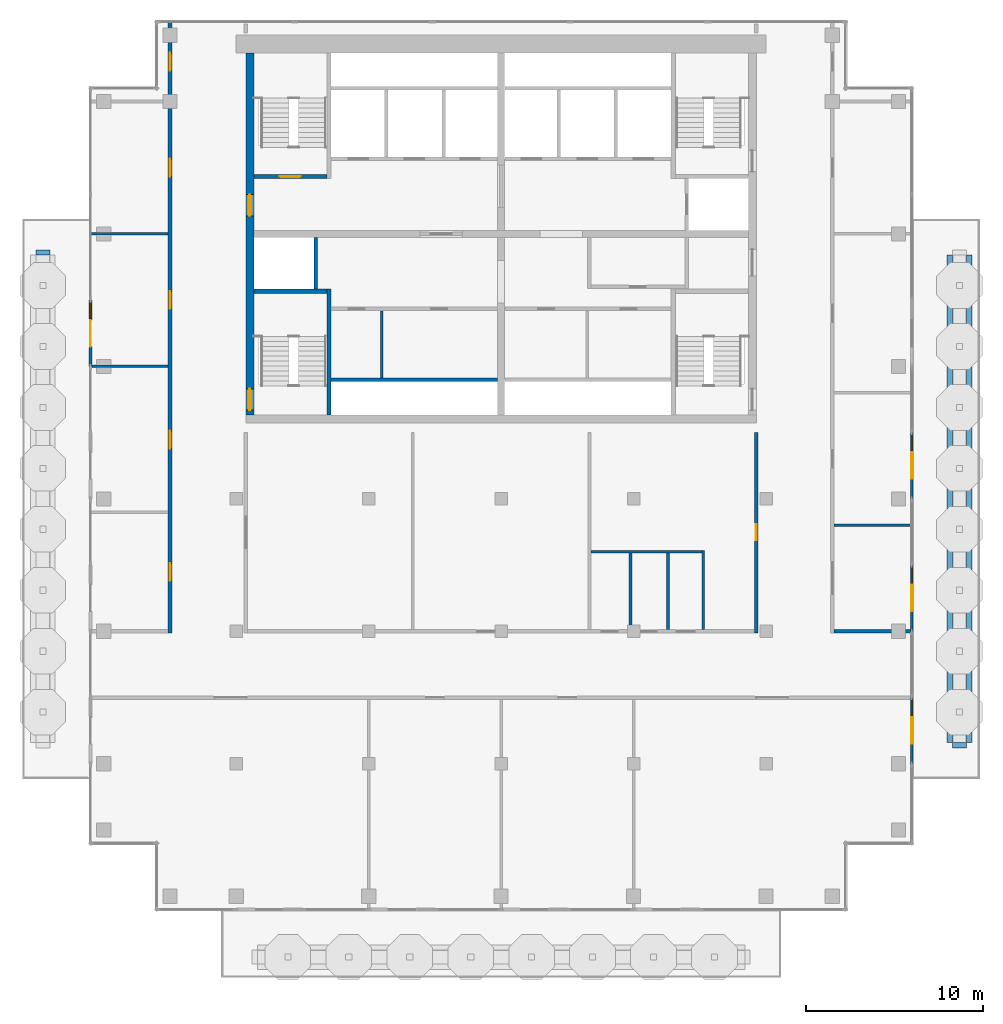
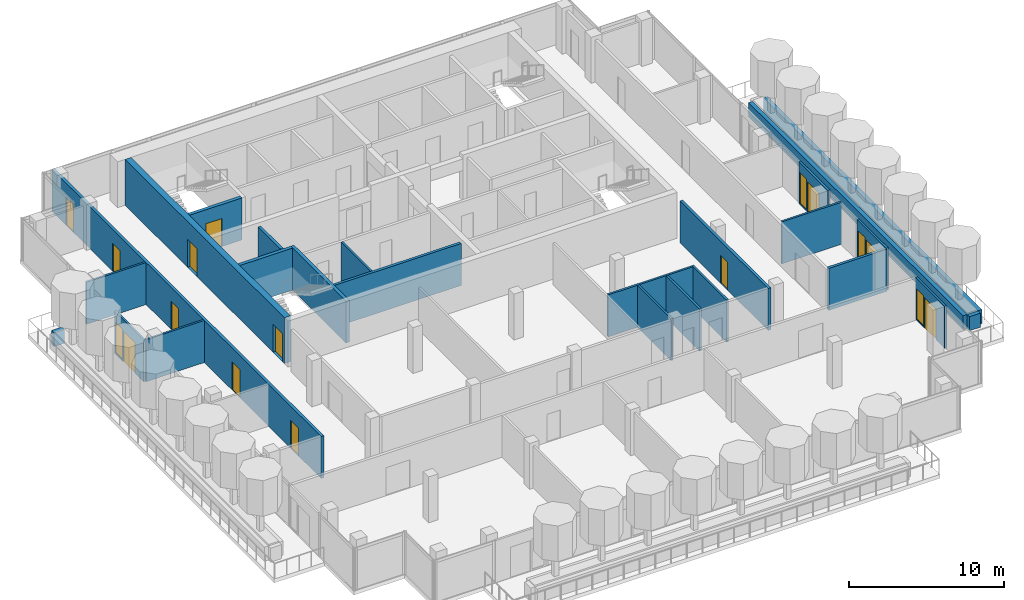
# One storey, part 7 of 12: 25 walls, 13 doors, 4 windows, 17 openings.
"""IFC4 building model written with IfcOpenShell, lengths in metres."""

import ifcopenshell
import ifcopenshell.guid

model = None  # the IFC model being written
_history = None  # IfcOwnerHistory: only IFC2X3 demands one
_inside = {}  # id of a spatial element -> (the spatial element, [elements in it])
_under = {}  # id of a project, library or spatial element -> (it, [spatial elements below it])
_declared = {}  # id of a project -> (the project, [libraries it declares])
_typed = {}  # id of a type object -> (the type object, [elements of that type])
_made_of = {}  # id of a material, layer set ... -> (it, [elements and type objects made of it])


def new_model(schema):
    """Start an empty IFC model of exactly this schema.

    Asked for "IFC4X3", IfcOpenShell would pick the latest addendum, in which some entities
    have other attributes; the version numbers below select the first issue.
    IFC2X3 requires an IfcOwnerHistory on every rooted entity: one is made here for all.
    """
    global model, _history
    if schema == "IFC4X3":
        model = ifcopenshell.file(schema_version=(4, 3, 0, 0))
    else:
        model = ifcopenshell.file(schema=schema)
    _inside.clear()
    _under.clear()
    _declared.clear()
    _typed.clear()
    _made_of.clear()
    _history = None
    if model.schema == "IFC2X3":
        org = make("IfcOrganization", Name="unknown")
        user = make(
            "IfcPersonAndOrganization",
            ThePerson=make("IfcPerson", FamilyName="unknown"),
            TheOrganization=org,
        )
        app = make(
            "IfcApplication",
            ApplicationDeveloper=org,
            Version="unknown",
            ApplicationFullName="unknown",
            ApplicationIdentifier="unknown",
        )
        _history = make(
            "IfcOwnerHistory",
            OwningUser=user,
            OwningApplication=app,
            ChangeAction="ADDED",
            CreationDate=0,
        )
    return model


def make(cls, **values):
    """One entity of the class cls with the attributes given. An attribute that is None is left unset."""
    return model.create_entity(
        cls, **{name: value for name, value in values.items() if value is not None}
    )


def rooted(cls, **values):
    """An entity with a GlobalId (a new one), such as an element, a storey or a relation."""
    return make(cls, GlobalId=ifcopenshell.guid.new(), OwnerHistory=_history, **values)


def si_unit(unit_type, name, prefix=None):
    """IfcSIUnit, for example si_unit("LENGTHUNIT", "METRE", prefix="MILLI")."""
    return make("IfcSIUnit", UnitType=unit_type, Prefix=prefix, Name=name)


def assignment(units):
    """IfcUnitAssignment: the units of a project."""
    return None if units is None else make("IfcUnitAssignment", Units=units)


def point(xyz):
    """IfcCartesianPoint."""
    return None if xyz is None else make("IfcCartesianPoint", Coordinates=xyz)


def direction(xyz):
    """IfcDirection."""
    return None if xyz is None else make("IfcDirection", DirectionRatios=xyz)


def frame(location, z_axis=None, x_axis=None):
    """IfcAxis2Placement3D, a coordinate frame: its origin and axes. An axis left out is left unset."""
    return make(
        "IfcAxis2Placement3D",
        Location=point(location),
        Axis=direction(z_axis),
        RefDirection=direction(x_axis),
    )


def frame_2d(location, x_axis=None):
    """IfcAxis2Placement2D, a coordinate frame in the plane: its origin and x axis."""
    return make(
        "IfcAxis2Placement2D", Location=point(location), RefDirection=direction(x_axis)
    )


def origin():
    """The frame at (0, 0, 0) with its axes left unset."""
    return frame((0.0, 0.0, 0.0))


def place(relative_to, where):
    """IfcLocalPlacement: puts the frame where relative to a parent placement (None: the world)."""
    return make(
        "IfcLocalPlacement", PlacementRelTo=relative_to, RelativePlacement=where
    )


def context(
    kind, dimensions, precision=None, world=None, true_north=None, identifier=None
):
    """IfcGeometricRepresentationContext, for example the 3D "Model" context."""
    return make(
        "IfcGeometricRepresentationContext",
        ContextIdentifier=identifier,
        ContextType=kind,
        CoordinateSpaceDimension=dimensions,
        Precision=precision,
        WorldCoordinateSystem=world,
        TrueNorth=true_north,
    )


def subcontext(parent, identifier, kind, view, scale=None):
    """IfcGeometricRepresentationSubContext, for example "Body" below "Model"."""
    return make(
        "IfcGeometricRepresentationSubContext",
        ContextIdentifier=identifier,
        ContextType=kind,
        ParentContext=parent,
        TargetScale=scale,
        TargetView=view,
    )


def project(units=None, contexts=None):
    """IfcProject with its units and contexts."""
    return rooted(
        "IfcProject",
        Name="project",
        RepresentationContexts=contexts,
        UnitsInContext=assignment(units),
    )


def spatial(cls, under=None, at=None, **own):
    """A site, building, storey or space (cls), placed at a placement, below another one or the project."""
    s = rooted(cls, ObjectPlacement=at, **own)
    if under is not None:
        _under.setdefault(under.id(), (under, []))[1].append(s)
    return s


def profile(cls, at=None, kind="AREA", **sizes):
    """A parametric profile (cls). Its sizes go by their IFC names, for example OverallWidth=200.0."""
    return make(cls, ProfileType=kind, Position=at, **sizes)


def rectangle(**sizes):
    """IfcRectangleProfileDef."""
    return profile("IfcRectangleProfileDef", **sizes)


def extrude(swept, where, along, depth):
    """IfcExtrudedAreaSolid: the profile swept, set in the frame where, extruded along a direction by depth."""
    return make(
        "IfcExtrudedAreaSolid",
        SweptArea=swept,
        Position=where,
        ExtrudedDirection=direction(along),
        Depth=depth,
    )


def shape(context_of_items, identifier, shape_type, items):
    """IfcShapeRepresentation: the items that make up one representation, for example the "Body"."""
    return make(
        "IfcShapeRepresentation",
        ContextOfItems=context_of_items,
        RepresentationIdentifier=identifier,
        RepresentationType=shape_type,
        Items=items,
    )


def material(Name=None, Category=None):
    """IfcMaterial."""
    return make("IfcMaterial", Name=Name, Category=Category)


def layer(
    of_material, thickness, ventilated=None, Name=None, Category=None, Priority=None
):
    """IfcMaterialLayer: one layer of a wall or slab, of a material (None: an air gap)."""
    return make(
        "IfcMaterialLayer",
        Material=of_material,
        LayerThickness=thickness,
        IsVentilated=ventilated,
        Name=Name,
        Category=Category,
        Priority=Priority,
    )


def layer_set(layers, Name=None):
    """IfcMaterialLayerSet."""
    return make("IfcMaterialLayerSet", MaterialLayers=layers, LayerSetName=Name)


def made_of(thing, what):
    """Note that an element or type object is made of a material, layer set ...; save() writes the relation."""
    if what is not None:
        _made_of.setdefault(what.id(), (what, []))[1].append(thing)
    return thing


def type_object(cls, material=None, **own):
    """A type object (cls), such as IfcWallType, which elements share."""
    return made_of(rooted(cls, **own), material)


def element(
    cls,
    number,
    at=None,
    inside=None,
    cuts=None,
    type_object=None,
    material=None,
    context=None,
    identifier="Body",
    shape_type=None,
    held_by="IfcProductDefinitionShape",
    body=None,
    shapes=None,
    **own,
):
    """One element of the class cls, such as IfcWall. Its Tag is "e" and its number.

    at: its placement. inside: the storey or other place that contains it. cuts: it is an
    opening in that element (IfcRelVoidsElement). A single representation is given by context,
    identifier, shape_type and body (its items); several are given by shapes. held_by: the class
    of the entity that holds the representations. save() writes the other relations.
    """
    e = rooted(cls, Tag="e%d" % number, ObjectPlacement=at, **own)
    if body is not None:
        shapes = [shape(context, identifier, shape_type, body)]
    if shapes is not None:
        e.Representation = make(held_by, Representations=shapes)
    if inside is not None:
        _inside.setdefault(inside.id(), (inside, []))[1].append(e)
    if cuts is not None:
        rooted(
            "IfcRelVoidsElement", RelatingBuildingElement=cuts, RelatedOpeningElement=e
        )
    if type_object is not None:
        _typed.setdefault(type_object.id(), (type_object, []))[1].append(e)
    return made_of(e, material)


def fill(opening, filler):
    """IfcRelFillsElement: the door or window that sits in an opening."""
    return rooted(
        "IfcRelFillsElement",
        RelatingOpeningElement=opening,
        RelatedBuildingElement=filler,
    )


def aggregate(whole, parts):
    """IfcRelAggregates: a whole, such as a stair, and the parts it consists of."""
    return rooted("IfcRelAggregates", RelatingObject=whole, RelatedObjects=parts)


def save(model, path):
    """Write the relations noted so far, then the file.

    IfcRelAggregates (storeys below a building ...), IfcRelContainedInSpatialStructure (elements
    in a storey), IfcRelDefinesByType, IfcRelAssociatesMaterial and IfcRelDeclares: one each for
    every whole, place, type object, material and project.
    """
    for whole, parts in _under.values():
        aggregate(whole, parts)
    for where, things in _inside.values():
        rooted(
            "IfcRelContainedInSpatialStructure",
            RelatedElements=things,
            RelatingStructure=where,
        )
    for kind, things in _typed.values():
        rooted("IfcRelDefinesByType", RelatedObjects=things, RelatingType=kind)
    for what, things in _made_of.values():
        rooted("IfcRelAssociatesMaterial", RelatedObjects=things, RelatingMaterial=what)
    for by, libraries in _declared.values():
        rooted("IfcRelDeclares", RelatingContext=by, RelatedDefinitions=libraries)
    model.write(path)


model = new_model("IFC4")

# Units and contexts
model_context = context("Model", 3, precision=1e-05, world=origin(), true_north=direction((0.0, 1.0)))
body_context = subcontext(model_context, "Body", "Model", "MODEL_VIEW")
ifc_project = project(units=[si_unit("LENGTHUNIT", "METRE"), si_unit("AREAUNIT", "SQUARE_METRE"), si_unit("VOLUMEUNIT", "CUBIC_METRE"), si_unit("PLANEANGLEUNIT", "RADIAN"), si_unit("MASSUNIT", "GRAM", prefix="KILO")], contexts=[model_context])

# Site, building, storey
site_placement = place(None, origin())
site = spatial("IfcSite", under=ifc_project, at=site_placement, CompositionType="ELEMENT")
building_placement = place(site_placement, origin())
building = spatial("IfcBuilding", under=site, at=building_placement, Name="Pilkhan Gate Tower", CompositionType="ELEMENT")
storey_placement = place(building_placement, frame((0.0, 0.0, 258.5)))
storey = spatial("IfcBuildingStorey", under=building, at=storey_placement, Name="L67", CompositionType="ELEMENT", Elevation=258.5)

# Wall, openings, doors
ifc_material_1 = material(Name="Concrete C50/60", Category="concrete")
ifc_layer_1 = layer(ifc_material_1, 0.449951171875)
ifc_layer_set_1 = layer_set([ifc_layer_1], Name="Core wall CW450 C50/60")
wall_type_1 = type_object("IfcWallType", Name="Core wall CW450 C50/60", PredefinedType="SHEAR", material=ifc_layer_set_1)
wall_1_placement = place(storey_placement, frame((60.77490234375, 92.75, 0.0), z_axis=(0.0, 0.0, 1.0), x_axis=(0.0, -1.0, 0.0)))
wall_1 = element("IfcWall", 1, at=wall_1_placement, inside=storey, type_object=wall_type_1, Name="Core wall W L67", PredefinedType="SHEAR", context=body_context, shape_type="SweptSolid", body=[
    extrude(rectangle(XDim=20.5, YDim=0.449951171875, at=frame_2d((10.25, 0.0))), origin(), (0.0, 0.0, 1.0), 3.60009765625),
])
opening_1_placement = place(wall_1_placement, frame((19.02490234375, 0.0, 0.0)))
opening_1 = element("IfcOpeningElement", 2, at=opening_1_placement, cuts=wall_1, Name="Opening L67-04", PredefinedType="OPENING", context=body_context, shape_type="SweptSolid", body=[
    extrude(rectangle(XDim=1.199951171875, YDim=2.199951171875, at=frame_2d((0.60009765625, 1.10009765625))), frame((0.0, 0.23486328125, 0.0), z_axis=(0.0, -1.0, 0.0), x_axis=(1.0, 0.0, 0.0)), (0.0, 0.0, 1.0), 0.469970703125),
])
opening_2_placement = place(wall_1_placement, frame((8.02490234375, 0.0, 0.0)))
opening_2 = element("IfcOpeningElement", 3, at=opening_2_placement, cuts=wall_1, Name="Opening L67-10", PredefinedType="OPENING", context=body_context, shape_type="SweptSolid", body=[
    extrude(rectangle(XDim=1.199951171875, YDim=2.199951171875, at=frame_2d((0.60009765625, 1.10009765625))), frame((0.0, 0.23486328125, 0.0), z_axis=(0.0, -1.0, 0.0), x_axis=(1.0, 0.0, 0.0)), (0.0, 0.0, 1.0), 0.469970703125),
])
ifc_material_2 = material(Name="Steel door, 120 minute fire resisting, self-closing", Category="steel")
door_type_1 = type_object("IfcDoorType", Name="Firefighting lobby door D10 1200x2200", OperationType="SINGLE_SWING_LEFT", PredefinedType="DOOR", material=ifc_material_2)
door_1_placement = place(opening_2_placement, origin())
door_1 = element("IfcDoor", 4, at=door_1_placement, inside=storey, type_object=door_type_1, Name="Core door", OperationType="SINGLE_SWING_RIGHT", OverallHeight=2.199951171875, OverallWidth=1.199951171875, PredefinedType="DOOR", context=body_context, shape_type="SweptSolid", body=[
    extrude(rectangle(XDim=1.199951171875, YDim=2.199951171875, at=frame_2d((0.60009765625, 1.10009765625))), frame((0.0, 0.02490234375, 0.0), z_axis=(0.0, -1.0, 0.0), x_axis=(1.0, 0.0, 0.0)), (0.0, 0.0, 1.0), 0.050048828125),
])
fill(opening_2, door_1)
ifc_material_3 = material(Name="Steel door, 120 minute fire resisting, panic bar", Category="steel")
door_type_2 = type_object("IfcDoorType", Name="Stair door D11 1200x2200", OperationType="SINGLE_SWING_LEFT", PredefinedType="DOOR", material=ifc_material_3)
door_2_placement = place(opening_1_placement, origin())
door_2 = element("IfcDoor", 5, at=door_2_placement, inside=storey, type_object=door_type_2, Name="Stair ST2 door", OperationType="SINGLE_SWING_LEFT", OverallHeight=2.199951171875, OverallWidth=1.199951171875, PredefinedType="DOOR", context=body_context, shape_type="SweptSolid", body=[
    extrude(rectangle(XDim=1.199951171875, YDim=2.199951171875, at=frame_2d((0.60009765625, 1.10009765625))), frame((0.0, 0.02490234375, 0.0), z_axis=(0.0, -1.0, 0.0), x_axis=(1.0, 0.0, 0.0)), (0.0, 0.0, 1.0), 0.050048828125),
])
fill(opening_1, door_2)

# Wall
ifc_material_4 = material(Name="Dense blockwork", Category="masonry")
ifc_layer_2 = layer(ifc_material_4, 0.199951171875)
ifc_layer_set_2 = layer_set([ifc_layer_2], Name="Corridor wall FW200")
wall_type_2 = type_object("IfcWallType", Name="Corridor wall FW200", PredefinedType="PARTITIONING", material=ifc_layer_set_2)
wall_2_placement = place(storey_placement, frame((93.85009765625, 60.0, 0.0), z_axis=(0.0, 0.0, 1.0), x_axis=(1.0, 0.0, 0.0)))
element("IfcWall", 6, at=wall_2_placement, inside=storey, type_object=wall_type_2, Name="Partition L67", PredefinedType="PARTITIONING", context=body_context, shape_type="SweptSolid", body=[
    extrude(rectangle(XDim=4.31494140625, YDim=0.199951171875, at=frame_2d((2.157470703125, 0.0))), origin(), (0.0, 0.0, 1.0), 3.300048828125),
])

# Wall, openings, doors
wall_3_placement = place(storey_placement, frame((56.25, 59.89990234375, 0.0), z_axis=(0.0, 0.0, 1.0), x_axis=(0.0, 1.0, 0.0)))
wall_3 = element("IfcWall", 7, at=wall_3_placement, inside=storey, type_object=wall_type_2, Name="Partition L67", PredefinedType="PARTITIONING", context=body_context, shape_type="SweptSolid", body=[
    extrude(rectangle(XDim=34.614990234375, YDim=0.199951171875, at=frame_2d((17.3076171875, 0.0))), origin(), (0.0, 0.0, 1.0), 3.300048828125),
])
opening_3_placement = place(wall_3_placement, frame((2.949951171875, 0.0, 0.0)))
opening_3 = element("IfcOpeningElement", 8, at=opening_3_placement, cuts=wall_3, Name="Opening L67-21", PredefinedType="OPENING", context=body_context, shape_type="SweptSolid", body=[
    extrude(rectangle(XDim=1.0, YDim=2.199951171875, at=frame_2d((0.5, 1.10009765625))), frame((0.0, 0.10986328125, 0.0), z_axis=(0.0, -1.0, 0.0), x_axis=(1.0, 0.0, 0.0)), (0.0, 0.0, 1.0), 0.219970703125),
])
opening_4_placement = place(wall_3_placement, frame((10.449951171875, 0.0, 0.0)))
opening_4 = element("IfcOpeningElement", 9, at=opening_4_placement, cuts=wall_3, Name="Opening L67-22", PredefinedType="OPENING", context=body_context, shape_type="SweptSolid", body=[
    extrude(rectangle(XDim=1.0, YDim=2.199951171875, at=frame_2d((0.5, 1.10009765625))), frame((0.0, 0.10986328125, 0.0), z_axis=(0.0, -1.0, 0.0), x_axis=(1.0, 0.0, 0.0)), (0.0, 0.0, 1.0), 0.219970703125),
])
opening_5_placement = place(wall_3_placement, frame((18.35009765625, 0.0, 0.0)))
opening_5 = element("IfcOpeningElement", 10, at=opening_5_placement, cuts=wall_3, Name="Opening L67-23", PredefinedType="OPENING", context=body_context, shape_type="SweptSolid", body=[
    extrude(rectangle(XDim=1.0, YDim=2.199951171875, at=frame_2d((0.5, 1.10009765625))), frame((0.0, 0.10986328125, 0.0), z_axis=(0.0, -1.0, 0.0), x_axis=(1.0, 0.0, 0.0)), (0.0, 0.0, 1.0), 0.219970703125),
])
opening_6_placement = place(wall_3_placement, frame((25.85009765625, 0.0, 0.0)))
opening_6 = element("IfcOpeningElement", 11, at=opening_6_placement, cuts=wall_3, Name="Opening L67-24", PredefinedType="OPENING", context=body_context, shape_type="SweptSolid", body=[
    extrude(rectangle(XDim=1.0, YDim=2.199951171875, at=frame_2d((0.5, 1.10009765625))), frame((0.0, 0.10986328125, 0.0), z_axis=(0.0, -1.0, 0.0), x_axis=(1.0, 0.0, 0.0)), (0.0, 0.0, 1.0), 0.219970703125),
])
opening_7_placement = place(wall_3_placement, frame((31.85009765625, 0.0, 0.0)))
opening_7 = element("IfcOpeningElement", 12, at=opening_7_placement, cuts=wall_3, Name="Opening L67-25", PredefinedType="OPENING", context=body_context, shape_type="SweptSolid", body=[
    extrude(rectangle(XDim=1.0, YDim=2.199951171875, at=frame_2d((0.5, 1.10009765625))), frame((0.0, 0.10986328125, 0.0), z_axis=(0.0, -1.0, 0.0), x_axis=(1.0, 0.0, 0.0)), (0.0, 0.0, 1.0), 0.219970703125),
])
ifc_material_5 = material(Name="Timber flush door, 30 minute fire resisting", Category="wood")
door_type_3 = type_object("IfcDoorType", Name="Room door D03 1000x2200", OperationType="SINGLE_SWING_LEFT", PredefinedType="DOOR", material=ifc_material_5)
door_3_placement = place(opening_3_placement, origin())
door_3 = element("IfcDoor", 13, at=door_3_placement, inside=storey, type_object=door_type_3, Name="Room door", OperationType="SINGLE_SWING_LEFT", OverallHeight=2.199951171875, OverallWidth=1.0, PredefinedType="DOOR", context=body_context, shape_type="SweptSolid", body=[
    extrude(rectangle(XDim=1.0, YDim=2.199951171875, at=frame_2d((0.5, 1.10009765625))), frame((0.0, 0.02490234375, 0.0), z_axis=(0.0, -1.0, 0.0), x_axis=(1.0, 0.0, 0.0)), (0.0, 0.0, 1.0), 0.050048828125),
])
fill(opening_3, door_3)
door_4_placement = place(opening_4_placement, origin())
door_4 = element("IfcDoor", 14, at=door_4_placement, inside=storey, type_object=door_type_3, Name="Room door", OperationType="SINGLE_SWING_LEFT", OverallHeight=2.199951171875, OverallWidth=1.0, PredefinedType="DOOR", context=body_context, shape_type="SweptSolid", body=[
    extrude(rectangle(XDim=1.0, YDim=2.199951171875, at=frame_2d((0.5, 1.10009765625))), frame((0.0, 0.02490234375, 0.0), z_axis=(0.0, -1.0, 0.0), x_axis=(1.0, 0.0, 0.0)), (0.0, 0.0, 1.0), 0.050048828125),
])
fill(opening_4, door_4)
door_5_placement = place(opening_5_placement, origin())
door_5 = element("IfcDoor", 15, at=door_5_placement, inside=storey, type_object=door_type_3, Name="Room door", OperationType="SINGLE_SWING_LEFT", OverallHeight=2.199951171875, OverallWidth=1.0, PredefinedType="DOOR", context=body_context, shape_type="SweptSolid", body=[
    extrude(rectangle(XDim=1.0, YDim=2.199951171875, at=frame_2d((0.5, 1.10009765625))), frame((0.0, 0.02490234375, 0.0), z_axis=(0.0, -1.0, 0.0), x_axis=(1.0, 0.0, 0.0)), (0.0, 0.0, 1.0), 0.050048828125),
])
fill(opening_5, door_5)
door_6_placement = place(opening_6_placement, origin())
door_6 = element("IfcDoor", 16, at=door_6_placement, inside=storey, type_object=door_type_3, Name="Room door", OperationType="SINGLE_SWING_RIGHT", OverallHeight=2.199951171875, OverallWidth=1.0, PredefinedType="DOOR", context=body_context, shape_type="SweptSolid", body=[
    extrude(rectangle(XDim=1.0, YDim=2.199951171875, at=frame_2d((0.5, 1.10009765625))), frame((0.0, 0.02490234375, 0.0), z_axis=(0.0, -1.0, 0.0), x_axis=(1.0, 0.0, 0.0)), (0.0, 0.0, 1.0), 0.050048828125),
])
fill(opening_6, door_6)
door_7_placement = place(opening_7_placement, origin())
door_7 = element("IfcDoor", 17, at=door_7_placement, inside=storey, type_object=door_type_3, Name="Room door", OperationType="SINGLE_SWING_LEFT", OverallHeight=2.199951171875, OverallWidth=1.0, PredefinedType="DOOR", context=body_context, shape_type="SweptSolid", body=[
    extrude(rectangle(XDim=1.0, YDim=2.199951171875, at=frame_2d((0.5, 1.10009765625))), frame((0.0, 0.02490234375, 0.0), z_axis=(0.0, -1.0, 0.0), x_axis=(1.0, 0.0, 0.0)), (0.0, 0.0, 1.0), 0.050048828125),
])
fill(opening_7, door_7)

# Wall, opening, door
wall_4_placement = place(storey_placement, frame((89.449951171875, 59.89990234375, 0.0), z_axis=(0.0, 0.0, 1.0), x_axis=(0.0, 1.0, 0.0)))
wall_4 = element("IfcWall", 18, at=wall_4_placement, inside=storey, type_object=wall_type_2, Name="Partition L67", PredefinedType="PARTITIONING", context=body_context, shape_type="SweptSolid", body=[
    extrude(rectangle(XDim=11.35009765625, YDim=0.199951171875, at=frame_2d((5.675048828125, 0.0))), origin(), (0.0, 0.0, 1.0), 3.300048828125),
])
opening_8_placement = place(wall_4_placement, frame((5.25, 0.0, 0.0)))
opening_8 = element("IfcOpeningElement", 19, at=opening_8_placement, cuts=wall_4, Name="Opening L67-20", PredefinedType="OPENING", context=body_context, shape_type="SweptSolid", body=[
    extrude(rectangle(XDim=0.89990234375, YDim=2.199951171875, at=frame_2d((0.449951171875, 1.10009765625))), frame((0.0, 0.10986328125, 0.0), z_axis=(0.0, -1.0, 0.0), x_axis=(1.0, 0.0, 0.0)), (0.0, 0.0, 1.0), 0.219970703125),
])
ifc_material_6 = material(Name="Timber flush door, 60 minute fire resisting, self-closing", Category="wood")
door_type_4 = type_object("IfcDoorType", Name="Store door D05 900x2200", OperationType="SINGLE_SWING_LEFT", PredefinedType="DOOR", material=ifc_material_6)
door_8_placement = place(opening_8_placement, origin())
door_8 = element("IfcDoor", 20, at=door_8_placement, inside=storey, type_object=door_type_4, Name="Store door", OperationType="SINGLE_SWING_LEFT", OverallHeight=2.199951171875, OverallWidth=0.89990234375, PredefinedType="DOOR", context=body_context, shape_type="SweptSolid", body=[
    extrude(rectangle(XDim=0.89990234375, YDim=2.199951171875, at=frame_2d((0.449951171875, 1.10009765625))), frame((0.0, 0.02490234375, 0.0), z_axis=(0.0, -1.0, 0.0), x_axis=(1.0, 0.0, 0.0)), (0.0, 0.0, 1.0), 0.050048828125),
])
fill(opening_8, door_8)

# Wall, openings, door, window
ifc_material_7 = material(Name="Pale anodised aluminium, clear laminated glazing", Category="aluminium")
ifc_layer_3 = layer(ifc_material_7, 0.14990234375)
ifc_layer_set_3 = layer_set([ifc_layer_3], Name="Facade infill wall IW150")
wall_type_3 = type_object("IfcWallType", Name="Facade infill wall IW150", PredefinedType="SOLIDWALL", material=ifc_layer_set_3)
wall_5_placement = place(storey_placement, frame((98.25, 56.25, 0.0), z_axis=(0.0, 0.0, 1.0), x_axis=(0.0, -1.0, 0.0)))
wall_5 = element("IfcWall", 21, at=wall_5_placement, inside=storey, type_object=wall_type_3, Name="Infill wall L67 E", PredefinedType="SOLIDWALL", context=body_context, shape_type="SweptSolid", body=[
    extrude(rectangle(XDim=3.75, YDim=0.14990234375, at=frame_2d((1.875, 0.0))), origin(), (0.0, 0.0, 1.0), 3.300048828125),
])
opening_9_placement = place(wall_5_placement, frame((0.112548828125, 0.0, 0.10009765625)))
opening_9 = element("IfcOpeningElement", 22, at=opening_9_placement, cuts=wall_5, Name="Opening W1", PredefinedType="OPENING", context=body_context, shape_type="SweptSolid", body=[
    extrude(rectangle(XDim=0.89990234375, YDim=2.39990234375, at=frame_2d((0.449951171875, 1.199951171875))), frame((0.0, 0.0849609375, 0.0), z_axis=(0.0, -1.0, 0.0), x_axis=(1.0, 0.0, 0.0)), (0.0, 0.0, 1.0), 0.169921875),
])
opening_10_placement = place(wall_5_placement, frame((1.125, 0.0, 0.0)))
opening_10 = element("IfcOpeningElement", 23, at=opening_10_placement, cuts=wall_5, Name="Opening D5", PredefinedType="OPENING", context=body_context, shape_type="SweptSolid", body=[
    extrude(rectangle(XDim=1.5, YDim=2.39990234375, at=frame_2d((0.75, 1.199951171875))), frame((0.0, 0.0849609375, 0.0), z_axis=(0.0, -1.0, 0.0), x_axis=(1.0, 0.0, 0.0)), (0.0, 0.0, 1.0), 0.169921875),
])
ifc_material_8 = material(Name="Pale anodised aluminium, clear glazing", Category="aluminium")
door_type_5 = type_object("IfcDoorType", Name="Terrace door D5 1500x2400", OperationType="DOUBLE_DOOR_SINGLE_SWING", PredefinedType="DOOR", material=ifc_material_8)
door_9_placement = place(opening_10_placement, origin())
door_9 = element("IfcDoor", 24, at=door_9_placement, inside=storey, type_object=door_type_5, Name="Terrace door L67", OperationType="DOUBLE_DOOR_SINGLE_SWING", OverallHeight=2.39990234375, OverallWidth=1.5, PredefinedType="DOOR", context=body_context, shape_type="SweptSolid", body=[
    extrude(rectangle(XDim=1.5, YDim=2.39990234375, at=frame_2d((0.75, 1.199951171875))), frame((0.0, 0.02490234375, 0.0), z_axis=(0.0, -1.0, 0.0), x_axis=(1.0, 0.0, 0.0)), (0.0, 0.0, 1.0), 0.050048828125),
])
fill(opening_10, door_9)
ifc_material_9 = material(Name="Pale anodised aluminium, clear double glazing", Category="aluminium")
window_type = type_object("IfcWindowType", Name="Window W1 900x2400", PartitioningType="SINGLE_PANEL", PredefinedType="WINDOW", material=ifc_material_9)
window_1_placement = place(opening_9_placement, origin())
window_1 = element("IfcWindow", 25, at=window_1_placement, inside=storey, type_object=window_type, Name="Window L67", OverallHeight=2.39990234375, OverallWidth=0.89990234375, PartitioningType="SINGLE_PANEL", PredefinedType="WINDOW", context=body_context, shape_type="SweptSolid", body=[
    extrude(rectangle(XDim=0.89990234375, YDim=2.39990234375, at=frame_2d((0.449951171875, 1.199951171875))), frame((0.0, 0.030029296875, 0.0), z_axis=(0.0, -1.0, 0.0), x_axis=(1.0, 0.0, 0.0)), (0.0, 0.0, 1.0), 0.06005859375),
])
fill(opening_9, window_1)

wall_6_placement = place(storey_placement, frame((98.25, 63.75, 0.0), z_axis=(0.0, 0.0, 1.0), x_axis=(0.0, -1.0, 0.0)))
wall_6 = element("IfcWall", 26, at=wall_6_placement, inside=storey, type_object=wall_type_3, Name="Infill wall L67 E", PredefinedType="SOLIDWALL", context=body_context, shape_type="SweptSolid", body=[
    extrude(rectangle(XDim=3.75, YDim=0.14990234375, at=frame_2d((1.875, 0.0))), origin(), (0.0, 0.0, 1.0), 3.300048828125),
])
opening_11_placement = place(wall_6_placement, frame((0.112548828125, 0.0, 0.10009765625)))
opening_11 = element("IfcOpeningElement", 27, at=opening_11_placement, cuts=wall_6, Name="Opening W1", PredefinedType="OPENING", context=body_context, shape_type="SweptSolid", body=[
    extrude(rectangle(XDim=0.89990234375, YDim=2.39990234375, at=frame_2d((0.449951171875, 1.199951171875))), frame((0.0, 0.0849609375, 0.0), z_axis=(0.0, -1.0, 0.0), x_axis=(1.0, 0.0, 0.0)), (0.0, 0.0, 1.0), 0.169921875),
])
opening_12_placement = place(wall_6_placement, frame((1.125, 0.0, 0.0)))
opening_12 = element("IfcOpeningElement", 28, at=opening_12_placement, cuts=wall_6, Name="Opening D5", PredefinedType="OPENING", context=body_context, shape_type="SweptSolid", body=[
    extrude(rectangle(XDim=1.5, YDim=2.39990234375, at=frame_2d((0.75, 1.199951171875))), frame((0.0, 0.0849609375, 0.0), z_axis=(0.0, -1.0, 0.0), x_axis=(1.0, 0.0, 0.0)), (0.0, 0.0, 1.0), 0.169921875),
])
door_10_placement = place(opening_12_placement, origin())
door_10 = element("IfcDoor", 29, at=door_10_placement, inside=storey, type_object=door_type_5, Name="Terrace door L67", OperationType="DOUBLE_DOOR_SINGLE_SWING", OverallHeight=2.39990234375, OverallWidth=1.5, PredefinedType="DOOR", context=body_context, shape_type="SweptSolid", body=[
    extrude(rectangle(XDim=1.5, YDim=2.39990234375, at=frame_2d((0.75, 1.199951171875))), frame((0.0, 0.02490234375, 0.0), z_axis=(0.0, -1.0, 0.0), x_axis=(1.0, 0.0, 0.0)), (0.0, 0.0, 1.0), 0.050048828125),
])
fill(opening_12, door_10)
window_2_placement = place(opening_11_placement, origin())
window_2 = element("IfcWindow", 30, at=window_2_placement, inside=storey, type_object=window_type, Name="Window L67", OverallHeight=2.39990234375, OverallWidth=0.89990234375, PartitioningType="SINGLE_PANEL", PredefinedType="WINDOW", context=body_context, shape_type="SweptSolid", body=[
    extrude(rectangle(XDim=0.89990234375, YDim=2.39990234375, at=frame_2d((0.449951171875, 1.199951171875))), frame((0.0, 0.030029296875, 0.0), z_axis=(0.0, -1.0, 0.0), x_axis=(1.0, 0.0, 0.0)), (0.0, 0.0, 1.0), 0.06005859375),
])
fill(opening_11, window_2)

wall_7_placement = place(storey_placement, frame((98.25, 71.25, 0.0), z_axis=(0.0, 0.0, 1.0), x_axis=(0.0, -1.0, 0.0)))
wall_7 = element("IfcWall", 31, at=wall_7_placement, inside=storey, type_object=wall_type_3, Name="Infill wall L67 E", PredefinedType="SOLIDWALL", context=body_context, shape_type="SweptSolid", body=[
    extrude(rectangle(XDim=3.75, YDim=0.14990234375, at=frame_2d((1.875, 0.0))), origin(), (0.0, 0.0, 1.0), 3.300048828125),
])
opening_13_placement = place(wall_7_placement, frame((0.112548828125, 0.0, 0.10009765625)))
opening_13 = element("IfcOpeningElement", 32, at=opening_13_placement, cuts=wall_7, Name="Opening W1", PredefinedType="OPENING", context=body_context, shape_type="SweptSolid", body=[
    extrude(rectangle(XDim=0.89990234375, YDim=2.39990234375, at=frame_2d((0.449951171875, 1.199951171875))), frame((0.0, 0.0849609375, 0.0), z_axis=(0.0, -1.0, 0.0), x_axis=(1.0, 0.0, 0.0)), (0.0, 0.0, 1.0), 0.169921875),
])
opening_14_placement = place(wall_7_placement, frame((1.125, 0.0, 0.0)))
opening_14 = element("IfcOpeningElement", 33, at=opening_14_placement, cuts=wall_7, Name="Opening D5", PredefinedType="OPENING", context=body_context, shape_type="SweptSolid", body=[
    extrude(rectangle(XDim=1.5, YDim=2.39990234375, at=frame_2d((0.75, 1.199951171875))), frame((0.0, 0.0849609375, 0.0), z_axis=(0.0, -1.0, 0.0), x_axis=(1.0, 0.0, 0.0)), (0.0, 0.0, 1.0), 0.169921875),
])
door_11_placement = place(opening_14_placement, origin())
door_11 = element("IfcDoor", 34, at=door_11_placement, inside=storey, type_object=door_type_5, Name="Terrace door L67", OperationType="DOUBLE_DOOR_SINGLE_SWING", OverallHeight=2.39990234375, OverallWidth=1.5, PredefinedType="DOOR", context=body_context, shape_type="SweptSolid", body=[
    extrude(rectangle(XDim=1.5, YDim=2.39990234375, at=frame_2d((0.75, 1.199951171875))), frame((0.0, 0.02490234375, 0.0), z_axis=(0.0, -1.0, 0.0), x_axis=(1.0, 0.0, 0.0)), (0.0, 0.0, 1.0), 0.050048828125),
])
fill(opening_14, door_11)
window_3_placement = place(opening_13_placement, origin())
window_3 = element("IfcWindow", 35, at=window_3_placement, inside=storey, type_object=window_type, Name="Window L67", OverallHeight=2.39990234375, OverallWidth=0.89990234375, PartitioningType="SINGLE_PANEL", PredefinedType="WINDOW", context=body_context, shape_type="SweptSolid", body=[
    extrude(rectangle(XDim=0.89990234375, YDim=2.39990234375, at=frame_2d((0.449951171875, 1.199951171875))), frame((0.0, 0.030029296875, 0.0), z_axis=(0.0, -1.0, 0.0), x_axis=(1.0, 0.0, 0.0)), (0.0, 0.0, 1.0), 0.06005859375),
])
fill(opening_13, window_3)

wall_8_placement = place(storey_placement, frame((51.75, 75.0, 0.0), z_axis=(0.0, 0.0, 1.0), x_axis=(0.0, 1.0, 0.0)))
wall_8 = element("IfcWall", 36, at=wall_8_placement, inside=storey, type_object=wall_type_3, Name="Infill wall L67 W", PredefinedType="SOLIDWALL", context=body_context, shape_type="SweptSolid", body=[
    extrude(rectangle(XDim=3.75, YDim=0.14990234375, at=frame_2d((1.875, 0.0))), origin(), (0.0, 0.0, 1.0), 3.300048828125),
])
opening_15_placement = place(wall_8_placement, frame((1.125, 0.0, 0.0)))
opening_15 = element("IfcOpeningElement", 37, at=opening_15_placement, cuts=wall_8, Name="Opening D5", PredefinedType="OPENING", context=body_context, shape_type="SweptSolid", body=[
    extrude(rectangle(XDim=1.5, YDim=2.39990234375, at=frame_2d((0.75, 1.199951171875))), frame((0.0, 0.0849609375, 0.0), z_axis=(0.0, -1.0, 0.0), x_axis=(1.0, 0.0, 0.0)), (0.0, 0.0, 1.0), 0.169921875),
])
opening_16_placement = place(wall_8_placement, frame((2.737548828125, 0.0, 0.10009765625)))
opening_16 = element("IfcOpeningElement", 38, at=opening_16_placement, cuts=wall_8, Name="Opening W1", PredefinedType="OPENING", context=body_context, shape_type="SweptSolid", body=[
    extrude(rectangle(XDim=0.89990234375, YDim=2.39990234375, at=frame_2d((0.449951171875, 1.199951171875))), frame((0.0, 0.0849609375, 0.0), z_axis=(0.0, -1.0, 0.0), x_axis=(1.0, 0.0, 0.0)), (0.0, 0.0, 1.0), 0.169921875),
])
door_12_placement = place(opening_15_placement, origin())
door_12 = element("IfcDoor", 39, at=door_12_placement, inside=storey, type_object=door_type_5, Name="Terrace door L67", OperationType="DOUBLE_DOOR_SINGLE_SWING", OverallHeight=2.39990234375, OverallWidth=1.5, PredefinedType="DOOR", context=body_context, shape_type="SweptSolid", body=[
    extrude(rectangle(XDim=1.5, YDim=2.39990234375, at=frame_2d((0.75, 1.199951171875))), frame((0.0, 0.02490234375, 0.0), z_axis=(0.0, -1.0, 0.0), x_axis=(1.0, 0.0, 0.0)), (0.0, 0.0, 1.0), 0.050048828125),
])
fill(opening_15, door_12)
window_4_placement = place(opening_16_placement, origin())
window_4 = element("IfcWindow", 40, at=window_4_placement, inside=storey, type_object=window_type, Name="Window L67", OverallHeight=2.39990234375, OverallWidth=0.89990234375, PartitioningType="SINGLE_PANEL", PredefinedType="WINDOW", context=body_context, shape_type="SweptSolid", body=[
    extrude(rectangle(XDim=0.89990234375, YDim=2.39990234375, at=frame_2d((0.449951171875, 1.199951171875))), frame((0.0, 0.030029296875, 0.0), z_axis=(0.0, -1.0, 0.0), x_axis=(1.0, 0.0, 0.0)), (0.0, 0.0, 1.0), 0.06005859375),
])
fill(opening_16, window_4)

# Walls
ifc_layer_4 = layer(ifc_material_4, 0.199951171875)
ifc_layer_set_4 = layer_set([ifc_layer_4], Name="Lobby wall LW200")
wall_type_4 = type_object("IfcWallType", Name="Lobby wall LW200", PredefinedType="PARTITIONING", material=ifc_layer_set_4)
wall_9_placement = place(storey_placement, frame((65.375, 74.25, 0.0), z_axis=(0.0, 0.0, 1.0), x_axis=(1.0, 0.0, 0.0)))
element("IfcWall", 41, at=wall_9_placement, inside=storey, type_object=wall_type_4, Name="Partition L67", PredefinedType="PARTITIONING", context=body_context, shape_type="SweptSolid", body=[
    extrude(rectangle(XDim=9.4150390625, YDim=0.199951171875, at=frame_2d((4.70751953125, 0.0))), origin(), (0.0, 0.0, 1.0), 3.300048828125),
])
ifc_material_10 = material(Name="Blockwork partition, plastered both sides", Category="masonry")
ifc_layer_5 = layer(ifc_material_10, 0.14990234375)
ifc_layer_set_5 = layer_set([ifc_layer_5], Name="Partition PW150")
wall_type_5 = type_object("IfcWallType", Name="Partition PW150", PredefinedType="PARTITIONING", material=ifc_layer_set_5)
wall_10_placement = place(storey_placement, frame((80.074951171875, 64.5, 0.0), z_axis=(0.0, 0.0, 1.0), x_axis=(1.0, 0.0, 0.0)))
element("IfcWall", 42, at=wall_10_placement, inside=storey, type_object=wall_type_5, Name="Partition L67", PredefinedType="PARTITIONING", context=body_context, shape_type="SweptSolid", body=[
    extrude(rectangle(XDim=6.300048828125, YDim=0.14990234375, at=frame_2d((3.14990234375, 0.0))), origin(), (0.0, 0.0, 1.0), 3.300048828125),
])
wall_11_placement = place(storey_placement, frame((93.85009765625, 66.0, 0.0), z_axis=(0.0, 0.0, 1.0), x_axis=(1.0, 0.0, 0.0)))
element("IfcWall", 43, at=wall_11_placement, inside=storey, type_object=wall_type_5, Name="Partition L67", PredefinedType="PARTITIONING", context=body_context, shape_type="SweptSolid", body=[
    extrude(rectangle(XDim=4.414794921875, YDim=0.14990234375, at=frame_2d((2.20751953125, 0.0))), origin(), (0.0, 0.0, 1.0), 3.300048828125),
])
wall_12_placement = place(storey_placement, frame((51.8349609375, 75.0, 0.0), z_axis=(0.0, 0.0, 1.0), x_axis=(1.0, 0.0, 0.0)))
element("IfcWall", 44, at=wall_12_placement, inside=storey, type_object=wall_type_5, Name="Partition L67", PredefinedType="PARTITIONING", context=body_context, shape_type="SweptSolid", body=[
    extrude(rectangle(XDim=4.31494140625, YDim=0.14990234375, at=frame_2d((2.157470703125, 0.0))), origin(), (0.0, 0.0, 1.0), 3.300048828125),
])
wall_13_placement = place(storey_placement, frame((51.735107421875, 82.5, 0.0), z_axis=(0.0, 0.0, 1.0), x_axis=(1.0, 0.0, 0.0)))
element("IfcWall", 45, at=wall_13_placement, inside=storey, type_object=wall_type_5, Name="Partition L67", PredefinedType="PARTITIONING", context=body_context, shape_type="SweptSolid", body=[
    extrude(rectangle(XDim=4.414794921875, YDim=0.14990234375, at=frame_2d((2.20751953125, 0.0))), origin(), (0.0, 0.0, 1.0), 3.300048828125),
])
wall_14_placement = place(storey_placement, frame((68.239990234375, 74.35009765625, 0.0), z_axis=(0.0, 0.0, 1.0), x_axis=(0.0, 1.0, 0.0)))
element("IfcWall", 46, at=wall_14_placement, inside=storey, type_object=wall_type_5, Name="Partition L67", PredefinedType="PARTITIONING", context=body_context, shape_type="SweptSolid", body=[
    extrude(rectangle(XDim=3.7998046875, YDim=0.14990234375, at=frame_2d((1.89990234375, 0.0))), origin(), (0.0, 0.0, 1.0), 3.300048828125),
])
for number, where, z_axis, x_axis, name in (
    (47, (82.322021484375, 60.10009765625, 0.0), (0.0, 0.0, 1.0), (0.0, 1.0, 0.0), "Partition L67"),
    (48, (84.449951171875, 60.10009765625, 0.0), (0.0, 0.0, 1.0), (0.0, 1.0, 0.0), "Partition L67"),
):
    element("IfcWall", number, at=place(storey_placement, frame(where, z_axis=z_axis, x_axis=x_axis)), inside=storey, type_object=wall_type_5, Name=name, PredefinedType="PARTITIONING", context=body_context, shape_type="SweptSolid", body=[
        extrude(rectangle(XDim=4.324951171875, YDim=0.14990234375, at=frame_2d((2.16259765625, 0.0))), origin(), (0.0, 0.0, 1.0), 3.300048828125),
    ])
wall_15_placement = place(storey_placement, frame((86.449951171875, 60.10009765625, 0.0), z_axis=(0.0, 0.0, 1.0), x_axis=(0.0, 1.0, 0.0)))
element("IfcWall", 49, at=wall_15_placement, inside=storey, type_object=wall_type_5, Name="Partition L67", PredefinedType="PARTITIONING", context=body_context, shape_type="SweptSolid", body=[
    extrude(rectangle(XDim=4.474853515625, YDim=0.14990234375, at=frame_2d((2.2373046875, 0.0))), origin(), (0.0, 0.0, 1.0), 3.300048828125),
])
ifc_material_11 = material(Name="Reinforced blockwork shaft wall, 120 minute fire resisting", Category="masonry")
ifc_layer_6 = layer(ifc_material_11, 0.199951171875)
ifc_layer_set_6 = layer_set([ifc_layer_6], Name="Shaft wall SW200")
wall_type_6 = type_object("IfcWallType", Name="Shaft wall SW200", PredefinedType="PARTITIONING", material=ifc_layer_set_6)
wall_16_placement = place(storey_placement, frame((64.5, 79.375, 0.0), z_axis=(0.0, 0.0, 1.0), x_axis=(0.0, 1.0, 0.0)))
element("IfcWall", 50, at=wall_16_placement, inside=storey, type_object=wall_type_6, Name="Partition L67", PredefinedType="PARTITIONING", context=body_context, shape_type="SweptSolid", body=[
    extrude(rectangle(XDim=2.9150390625, YDim=0.199951171875, at=frame_2d((1.45751953125, 0.0))), origin(), (0.0, 0.0, 1.0), 3.300048828125),
])
ifc_material_12 = material(Name="Reinforced blockwork, 120 minute fire resisting", Category="masonry")
ifc_layer_7 = layer(ifc_material_12, 0.25)
ifc_layer_set_7 = layer_set([ifc_layer_7], Name="Stair enclosure wall SE250")
wall_type_7 = type_object("IfcWallType", Name="Stair enclosure wall SE250", PredefinedType="PARTITIONING", material=ifc_layer_set_7)
wall_17_placement = place(storey_placement, frame((61.0, 79.25, 0.0), z_axis=(0.0, 0.0, 1.0), x_axis=(1.0, 0.0, 0.0)))
element("IfcWall", 51, at=wall_17_placement, inside=storey, type_object=wall_type_7, Name="Partition L67", PredefinedType="PARTITIONING", context=body_context, shape_type="SweptSolid", body=[
    extrude(rectangle(XDim=4.125, YDim=0.25, at=frame_2d((2.0625, 0.0))), origin(), (0.0, 0.0, 1.0), 3.300048828125),
])

# Wall, opening, door
wall_18_placement = place(storey_placement, frame((61.0, 85.75, 0.0), z_axis=(0.0, 0.0, 1.0), x_axis=(1.0, 0.0, 0.0)))
wall_18 = element("IfcWall", 52, at=wall_18_placement, inside=storey, type_object=wall_type_7, Name="Partition L67", PredefinedType="PARTITIONING", context=body_context, shape_type="SweptSolid", body=[
    extrude(rectangle(XDim=4.125, YDim=0.25, at=frame_2d((2.0625, 0.0))), origin(), (0.0, 0.0, 1.0), 3.300048828125),
])
opening_17_placement = place(wall_18_placement, frame((1.449951171875, 0.0, 0.0)))
opening_17 = element("IfcOpeningElement", 53, at=opening_17_placement, cuts=wall_18, Name="Opening L67-02", PredefinedType="OPENING", context=body_context, shape_type="SweptSolid", body=[
    extrude(rectangle(XDim=1.199951171875, YDim=2.199951171875, at=frame_2d((0.60009765625, 1.10009765625))), frame((0.0, 0.135009765625, 0.0), z_axis=(0.0, -1.0, 0.0), x_axis=(1.0, 0.0, 0.0)), (0.0, 0.0, 1.0), 0.27001953125),
])
door_13_placement = place(opening_17_placement, origin())
door_13 = element("IfcDoor", 54, at=door_13_placement, inside=storey, type_object=door_type_2, Name="Stair ST3 lobby door", OperationType="SINGLE_SWING_LEFT", OverallHeight=2.199951171875, OverallWidth=1.199951171875, PredefinedType="DOOR", context=body_context, shape_type="SweptSolid", body=[
    extrude(rectangle(XDim=1.199951171875, YDim=2.199951171875, at=frame_2d((0.60009765625, 1.10009765625))), frame((0.0, 0.02490234375, 0.0), z_axis=(0.0, -1.0, 0.0), x_axis=(1.0, 0.0, 0.0)), (0.0, 0.0, 1.0), 0.050048828125),
])
fill(opening_17, door_13)

# Walls
wall_19_placement = place(storey_placement, frame((65.25, 72.260009765625, 0.0), z_axis=(0.0, 0.0, 1.0), x_axis=(0.0, 1.0, 0.0)))
element("IfcWall", 55, at=wall_19_placement, inside=storey, type_object=wall_type_7, Name="Partition L67", PredefinedType="PARTITIONING", context=body_context, shape_type="SweptSolid", body=[
    extrude(rectangle(XDim=7.114990234375, YDim=0.25, at=frame_2d((3.5576171875, 0.0))), origin(), (0.0, 0.0, 1.0), 3.300048828125),
])
ifc_material_13 = material(Name="Concrete C40/50", Category="concrete")
ifc_layer_8 = layer(ifc_material_13, 0.300048828125)
ifc_layer_set_8 = layer_set([ifc_layer_8], Name="Terrace planter TP800")
wall_type_8 = type_object("IfcWallType", Name="Terrace planter TP800", PredefinedType="USERDEFINED", material=ifc_layer_set_8)
for number, where, z_axis, x_axis, name in (
    (56, (101.5, 81.300048828125, 0.0), (0.0, 0.0, 1.0), (0.0, -1.0, 0.0), "Terrace planter L67"),
    (57, (100.39990234375, 81.300048828125, 0.0), (0.0, 0.0, 1.0), (0.0, -1.0, 0.0), "Terrace planter L67"),
):
    element("IfcWall", number, at=place(storey_placement, frame(where, z_axis=z_axis, x_axis=x_axis)), inside=storey, type_object=wall_type_8, Name=name, ObjectType="TERRACE PLANTER", PredefinedType="USERDEFINED", context=body_context, shape_type="SweptSolid", body=[
        extrude(rectangle(XDim=27.60009765625, YDim=0.300048828125, at=frame_2d((13.800048828125, 0.0))), origin(), (0.0, 0.0, 1.0), 1.10009765625),
    ])
for number, where, z_axis, x_axis, name in (
    (58, (100.550048828125, 53.550048828125, 0.0), (0.0, 0.0, 1.0), (1.0, 0.0, 0.0), "Terrace planter L67"),
    (59, (49.449951171875, 81.449951171875, 0.0), (0.0, 0.0, 1.0), (-1.0, 0.0, 0.0), "Terrace planter L67"),
):
    element("IfcWall", number, at=place(storey_placement, frame(where, z_axis=z_axis, x_axis=x_axis)), inside=storey, type_object=wall_type_8, Name=name, ObjectType="TERRACE PLANTER", PredefinedType="USERDEFINED", context=body_context, shape_type="SweptSolid", body=[
        extrude(rectangle(XDim=0.800048828125, YDim=0.300048828125, at=frame_2d((0.39990234375, 0.0))), origin(), (0.0, 0.0, 1.0), 1.10009765625),
    ])

save(model, "model.ifc")
